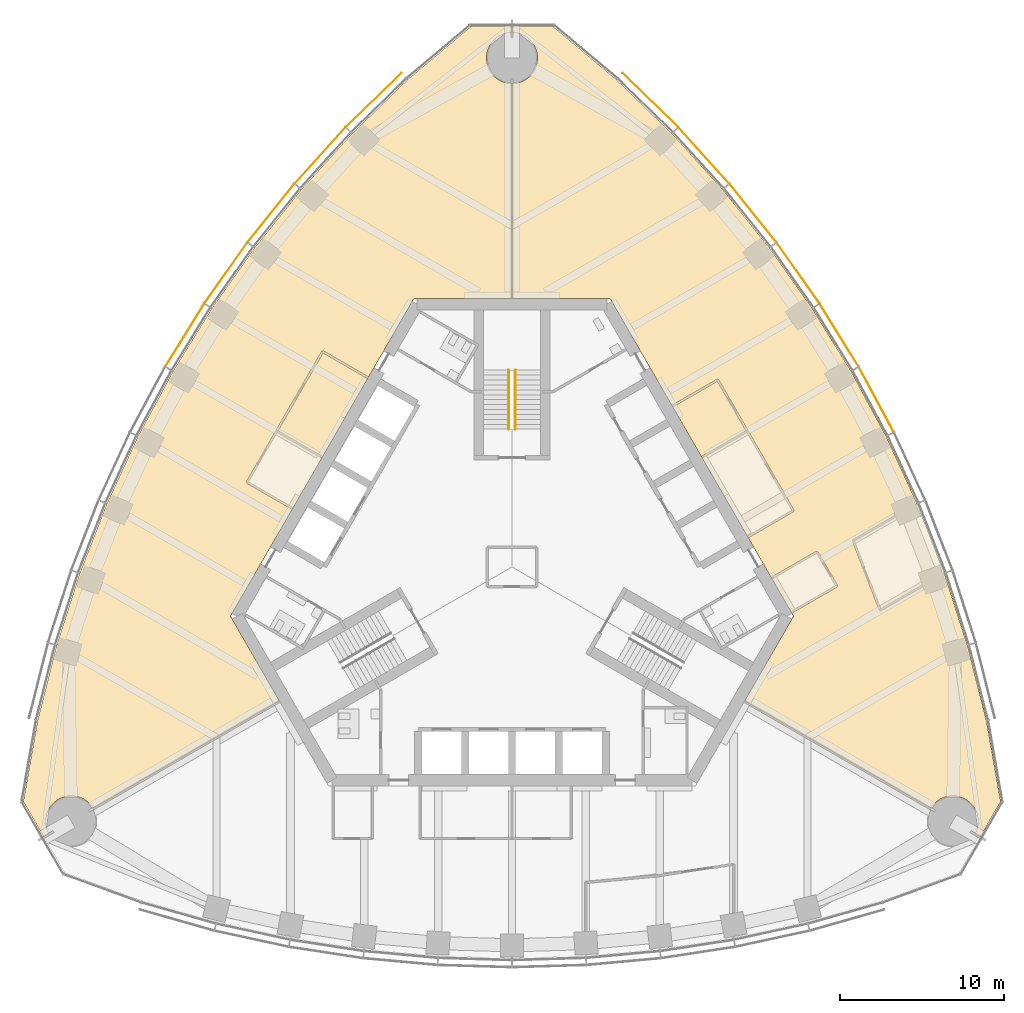
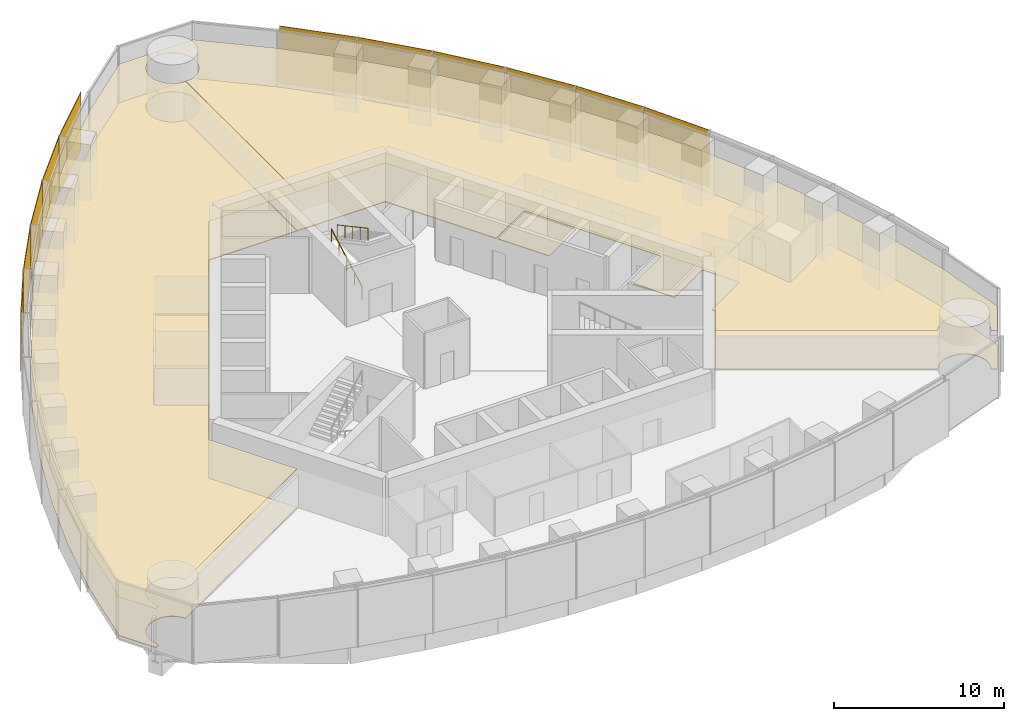
# One storey, part 12 of 14: 11 shading devices, 6 coverings, 2 railings.
"""IFC4 building model written with IfcOpenShell, lengths in metres."""

from ifc_helpers import new_model, si_unit, direction, frame, origin, origin_2d, place, context, subcontext, project, spatial, polyline, rectangle, circle, outline, extrude, material, layer, layer_set, type_object, element, save


model = new_model("IFC4")

# Units and contexts
model_context = context("Model", 3, precision=1e-05, world=origin(), true_north=direction((0.0, 1.0)))
body_context = subcontext(model_context, "Body", "Model", "MODEL_VIEW")
ifc_project = project(units=[si_unit("LENGTHUNIT", "METRE"), si_unit("AREAUNIT", "SQUARE_METRE"), si_unit("VOLUMEUNIT", "CUBIC_METRE"), si_unit("PLANEANGLEUNIT", "RADIAN"), si_unit("MASSUNIT", "GRAM", prefix="KILO")], contexts=[model_context])

# Site, building, storey
site_placement = place(None, origin())
site = spatial("IfcSite", under=ifc_project, at=site_placement, CompositionType="ELEMENT")
building_placement = place(site_placement, origin())
building = spatial("IfcBuilding", under=site, at=building_placement, Name="Trefoil Bronze Tower", CompositionType="ELEMENT")
storey_placement = place(building_placement, frame((0.0, 0.0, 280.5)))
storey = spatial("IfcBuildingStorey", under=building, at=storey_placement, Name="L64", CompositionType="ELEMENT", Elevation=280.5)

# Shading devices
ifc_material_1 = material(Name="Perforated bronze sheet", Category="bronze")
ifc_layer_1 = layer(ifc_material_1, 0.0400390625)
ifc_layer_set_1 = layer_set([ifc_layer_1], Name="Bronze solar screen panel")
shading_device_type = type_object("IfcShadingDeviceType", Name="Bronze solar screen panel", PredefinedType="SHUTTER", material=ifc_layer_set_1)
for number, where, z_axis, x_axis, name in (
    (1, (22.19775390625, 10.198974609375, 0.050048828125), (0.0, 0.0, 1.0), (-0.473562437085, 0.880760250115, 0.0), "Solar screen CW-A L64 F2 bay 5"),
    (2, (19.931396484375, 14.124267578125, 0.050048828125), (0.0, 0.0, 1.0), (-0.525979532701, 0.850497225851, 0.0), "Solar screen CW-A L64 F2 bay 6"),
):
    element("IfcShadingDevice", number, at=place(storey_placement, frame(where, z_axis=z_axis, x_axis=x_axis)), inside=storey, type_object=shading_device_type, Name=name, PredefinedType="SHUTTER", context=body_context, shape_type="SweptSolid", body=[
        extrude(rectangle(XDim=4.47216796875, YDim=0.0400390625, at=origin_2d()), origin(), (0.0, 0.0, 1.0), 4.10009765625),
    ])
shading_device_1_placement = place(storey_placement, frame((17.4267578125, 17.912109375, 0.050048828125), z_axis=(0.0, 0.0, 1.0), x_axis=(-0.576560967783, 0.817054129437, 0.0)))
element("IfcShadingDevice", 3, at=shading_device_1_placement, inside=storey, type_object=shading_device_type, Name="Solar screen CW-A L64 F2 bay 7", PredefinedType="SHUTTER", context=body_context, shape_type="SweptSolid", body=[
    extrude(rectangle(XDim=4.48876953125, YDim=0.0400390625, at=origin_2d()), origin(), (0.0, 0.0, 1.0), 4.10009765625),
])
shading_device_2_placement = place(storey_placement, frame((14.680908203125, 21.560791015625, 0.050048828125), z_axis=(0.0, 0.0, 1.0), x_axis=(-0.625286758829, 0.780395072533, 0.0)))
element("IfcShadingDevice", 4, at=shading_device_2_placement, inside=storey, type_object=shading_device_type, Name="Solar screen CW-A L64 F2 bay 8", PredefinedType="SHUTTER", context=body_context, shape_type="SweptSolid", body=[
    extrude(rectangle(XDim=4.5224609375, YDim=0.0400390625, at=origin_2d()), origin(), (0.0, 0.0, 1.0), 4.10009765625),
])
shading_device_3_placement = place(storey_placement, frame((11.688720703125, 25.067138671875, 0.050048828125), z_axis=(0.0, 0.0, 1.0), x_axis=(-0.672115274615, 0.74044652584, 0.0)))
element("IfcShadingDevice", 5, at=shading_device_3_placement, inside=storey, type_object=shading_device_type, Name="Solar screen CW-A L64 F2 bay 9", PredefinedType="SHUTTER", context=body_context, shape_type="SweptSolid", body=[
    extrude(rectangle(XDim=4.574462890625, YDim=0.0400390625, at=origin_2d()), origin(), (0.0, 0.0, 1.0), 4.10009765625),
])
for number, where, z_axis, x_axis, name in (
    (6, (8.42236328125, 28.443359375, 0.050048828125), (0.0, 0.0, 1.0), (-0.71721818561, 0.696848673839, 0.0), "Solar screen CW-A L64 F2 bay 10"),
    (7, (-8.42236328125, 28.443359375, 0.050048828125), (0.0, 0.0, 1.0), (-0.71721818561, -0.696848673839, 0.0), "Solar screen CW-A L64 F3 bay 1"),
):
    element("IfcShadingDevice", number, at=place(storey_placement, frame(where, z_axis=z_axis, x_axis=x_axis)), inside=storey, type_object=shading_device_type, Name=name, PredefinedType="SHUTTER", context=body_context, shape_type="SweptSolid", body=[
        extrude(rectangle(XDim=4.697509765625, YDim=0.0400390625, at=origin_2d()), origin(), (0.0, 0.0, 1.0), 4.10009765625),
    ])
shading_device_4_placement = place(storey_placement, frame((-11.688720703125, 25.067138671875, 0.050048828125), z_axis=(0.0, 0.0, 1.0), x_axis=(-0.672115274615, -0.74044652584, 0.0)))
element("IfcShadingDevice", 8, at=shading_device_4_placement, inside=storey, type_object=shading_device_type, Name="Solar screen CW-A L64 F3 bay 2", PredefinedType="SHUTTER", context=body_context, shape_type="SweptSolid", body=[
    extrude(rectangle(XDim=4.574462890625, YDim=0.0400390625, at=origin_2d()), origin(), (0.0, 0.0, 1.0), 4.10009765625),
])
shading_device_5_placement = place(storey_placement, frame((-14.680908203125, 21.560791015625, 0.050048828125), z_axis=(0.0, 0.0, 1.0), x_axis=(-0.625286758829, -0.780395072533, 0.0)))
element("IfcShadingDevice", 9, at=shading_device_5_placement, inside=storey, type_object=shading_device_type, Name="Solar screen CW-A L64 F3 bay 3", PredefinedType="SHUTTER", context=body_context, shape_type="SweptSolid", body=[
    extrude(rectangle(XDim=4.5224609375, YDim=0.0400390625, at=origin_2d()), origin(), (0.0, 0.0, 1.0), 4.10009765625),
])
shading_device_6_placement = place(storey_placement, frame((-17.4267578125, 17.912109375, 0.050048828125), z_axis=(0.0, 0.0, 1.0), x_axis=(-0.576560967783, -0.817054129437, 0.0)))
element("IfcShadingDevice", 10, at=shading_device_6_placement, inside=storey, type_object=shading_device_type, Name="Solar screen CW-A L64 F3 bay 4", PredefinedType="SHUTTER", context=body_context, shape_type="SweptSolid", body=[
    extrude(rectangle(XDim=4.48876953125, YDim=0.0400390625, at=origin_2d()), origin(), (0.0, 0.0, 1.0), 4.10009765625),
])
shading_device_7_placement = place(storey_placement, frame((-19.931396484375, 14.124267578125, 0.050048828125), z_axis=(0.0, 0.0, 1.0), x_axis=(-0.525979532701, -0.850497225851, 0.0)))
element("IfcShadingDevice", 11, at=shading_device_7_placement, inside=storey, type_object=shading_device_type, Name="Solar screen CW-A L64 F3 bay 5", PredefinedType="SHUTTER", context=body_context, shape_type="SweptSolid", body=[
    extrude(rectangle(XDim=4.47216796875, YDim=0.0400390625, at=origin_2d()), origin(), (0.0, 0.0, 1.0), 4.10009765625),
])

# Railings
ifc_material_2 = material(Name="Steel handrail", Category="steel")
railing_type = type_object("IfcRailingType", Name="Handrail 900", PredefinedType="HANDRAIL", material=ifc_material_2)
railing_1_placement = place(storey_placement, frame((-0.199951171875, 8.389892578125, 0.16162109375)))
element("IfcRailing", 12, at=railing_1_placement, inside=storey, type_object=railing_type, Name="Handrail ST2 flight 1 L64", PredefinedType="HANDRAIL", context=body_context, shape_type="SweptSolid", body=[
    extrude(circle(Radius=0.02392578125, at=origin_2d()), frame((0.0, 0.0, 0.8759765625), z_axis=(0.0, 0.880474934443, 0.474092701714), x_axis=(-1.0, 0.0, 0.0)), (0.0, 0.0, 1.0), 4.0888671875),
    extrude(circle(Radius=0.02099609375, at=origin_2d()), origin(), (0.0, 0.0, 1.0), 0.851806640625),
    extrude(circle(Radius=0.02099609375, at=origin_2d()), frame((0.0, 0.89990234375, 0.484619140625)), (0.0, 0.0, 1.0), 0.851806640625),
    extrude(circle(Radius=0.02099609375, at=origin_2d()), frame((0.0, 1.800048828125, 0.96923828125)), (0.0, 0.0, 1.0), 0.851806640625),
    extrude(circle(Radius=0.02099609375, at=origin_2d()), frame((0.0, 2.7001953125, 1.453857421875)), (0.0, 0.0, 1.0), 0.851806640625),
    extrude(circle(Radius=0.02099609375, at=origin_2d()), frame((0.0, 3.60009765625, 1.9384765625)), (0.0, 0.0, 1.0), 0.851806640625),
])
railing_2_placement = place(storey_placement, frame((0.199951171875, 11.989990234375, 2.261474609375)))
element("IfcRailing", 13, at=railing_2_placement, inside=storey, type_object=railing_type, Name="Handrail ST2 flight 2 L64", PredefinedType="HANDRAIL", context=body_context, shape_type="SweptSolid", body=[
    extrude(circle(Radius=0.02392578125, at=origin_2d()), frame((0.0, 0.0, 0.8759765625), z_axis=(0.0, -0.880474934443, 0.474092701714), x_axis=(1.0, 0.0, 0.0)), (0.0, 0.0, 1.0), 4.0888671875),
    extrude(circle(Radius=0.02099609375, at=origin_2d()), origin(), (0.0, 0.0, 1.0), 0.851806640625),
    extrude(circle(Radius=0.02099609375, at=origin_2d()), frame((0.0, -0.89990234375, 0.484619140625)), (0.0, 0.0, 1.0), 0.851806640625),
    extrude(circle(Radius=0.02099609375, at=origin_2d()), frame((0.0, -1.800048828125, 0.96923828125)), (0.0, 0.0, 1.0), 0.851806640625),
    extrude(circle(Radius=0.02099609375, at=origin_2d()), frame((0.0, -2.7001953125, 1.453857421875)), (0.0, 0.0, 1.0), 0.851806640625),
    extrude(circle(Radius=0.02099609375, at=origin_2d()), frame((0.0, -3.60009765625, 1.9384765625)), (0.0, 0.0, 1.0), 0.851806640625),
])

# Coverings
ifc_material_3 = material(Name="Acoustic ceiling panels", Category="mineral fibre")
ifc_layer_2 = layer(ifc_material_3, 0.02001953125)
ifc_layer_set_2 = layer_set([ifc_layer_2], Name="Office ceiling 20")
covering_type_1 = type_object("IfcCoveringType", Name="Office ceiling 20", PredefinedType="CEILING", material=ifc_layer_set_2)
covering_1_placement = place(storey_placement, frame((0.0, 0.0, 2.89990234375)))
element("IfcCovering", 14, at=covering_1_placement, inside=storey, type_object=covering_type_1, Name="Ceiling L64 Open-plan office F2", PredefinedType="CEILING", context=body_context, shape_type="SweptSolid", body=[
    extrude(outline(polyline([(9.741455078125, 26.408935546875), (12.836181640625, 22.99951171875), (15.682861328125, 19.44677734375), (18.2880859375, 15.7548828125), (20.656005859375, 11.92578125), (22.7880859375, 7.960693359375), (24.682861328125, 3.8583984375), (26.336181640625, -0.38330078125), (27.741455078125, -4.76806640625), (28.899169921875, -9.3515625), (29.770263671875, -14.291748046875), (28.522216796875, -16.453125), (28.19482421875, -16.26416015625), (28.2138671875, -16.230712890625), (28.248046875, -16.16259765625), (28.27880859375, -16.09326171875), (28.30615234375, -16.022216796875), (28.330078125, -15.949951171875), (28.350341796875, -15.876708984375), (28.366943359375, -15.802490234375), (28.3798828125, -15.727294921875), (28.389404296875, -15.65185546875), (28.39501953125, -15.576171875), (28.396728515625, -15.5), (28.39501953125, -15.423828125), (28.389404296875, -15.34814453125), (28.3798828125, -15.272705078125), (28.366943359375, -15.197509765625), (28.350341796875, -15.123291015625), (28.330078125, -15.050048828125), (28.30615234375, -14.977783203125), (28.27880859375, -14.90673828125), (28.248046875, -14.83740234375), (28.2138671875, -14.769287109375), (28.17626953125, -14.703125), (28.135498046875, -14.638916015625), (28.091796875, -14.57666015625), (28.044921875, -14.5166015625), (27.995361328125, -14.458984375), (27.94287109375, -14.404052734375), (27.8876953125, -14.3515625), (27.830078125, -14.3017578125), (27.77001953125, -14.2548828125), (27.7080078125, -14.211181640625), (27.6435546875, -14.17041015625), (27.577392578125, -14.133056640625), (27.509521484375, -14.098876953125), (27.43994140625, -14.068115234375), (27.368896484375, -14.04052734375), (27.296630859375, -14.0166015625), (27.223388671875, -13.99658203125), (27.149169921875, -13.979736328125), (27.07421875, -13.966796875), (26.998779296875, -13.95751953125), (26.9228515625, -13.951904296875), (26.8466796875, -13.949951171875), (26.770751953125, -13.951904296875), (26.69482421875, -13.95751953125), (26.619384765625, -13.966796875), (26.54443359375, -13.979736328125), (26.47021484375, -13.99658203125), (26.396728515625, -14.0166015625), (26.32470703125, -14.04052734375), (26.253662109375, -14.068115234375), (26.18408203125, -14.098876953125), (26.1162109375, -14.133056640625), (26.0498046875, -14.17041015625), (25.985595703125, -14.211181640625), (25.923583984375, -14.2548828125), (25.863525390625, -14.3017578125), (25.805908203125, -14.3515625), (25.750732421875, -14.404052734375), (25.6982421875, -14.458984375), (25.648681640625, -14.5166015625), (25.601806640625, -14.57666015625), (25.55810546875, -14.638916015625), (25.51025390625, -14.715576171875), (14.16259765625, -8.169677734375), (17.147216796875, -3.0), (5.9755859375, 16.35009765625), (0.006103515625, 16.35009765625), (0.010986328125, 29.4501953125), (0.076171875, 29.451904296875), (0.15185546875, 29.45751953125), (0.227294921875, 29.466796875), (0.302490234375, 29.479736328125), (0.376708984375, 29.49658203125), (0.449951171875, 29.5166015625), (0.522216796875, 29.54052734375), (0.59326171875, 29.568115234375), (0.66259765625, 29.598876953125), (0.730712890625, 29.633056640625), (0.796875, 29.67041015625), (0.861083984375, 29.711181640625), (0.92333984375, 29.7548828125), (0.9833984375, 29.8017578125), (1.041015625, 29.8515625), (1.095947265625, 29.904052734375), (1.1484375, 29.958984375), (1.1982421875, 30.0166015625), (1.2451171875, 30.07666015625), (1.288818359375, 30.138916015625), (1.32958984375, 30.203125), (1.366943359375, 30.269287109375), (1.401123046875, 30.33740234375), (1.431884765625, 30.40673828125), (1.45947265625, 30.477783203125), (1.4833984375, 30.550048828125), (1.50341796875, 30.623291015625), (1.520263671875, 30.697509765625), (1.533203125, 30.772705078125), (1.54248046875, 30.84814453125), (1.548095703125, 30.923828125), (1.550048828125, 31.0), (1.548095703125, 31.076171875), (1.54248046875, 31.15185546875), (1.533203125, 31.227294921875), (1.520263671875, 31.302490234375), (1.50341796875, 31.376708984375), (1.4833984375, 31.449951171875), (1.45947265625, 31.522216796875), (1.431884765625, 31.59326171875), (1.401123046875, 31.66259765625), (1.366943359375, 31.730712890625), (1.32958984375, 31.796875), (1.288818359375, 31.861083984375), (1.2451171875, 31.92333984375), (1.1982421875, 31.9833984375), (1.1484375, 32.041015625), (1.095947265625, 32.095947265625), (1.041015625, 32.1484375), (0.9833984375, 32.1982421875), (0.92333984375, 32.2451171875), (0.861083984375, 32.288818359375), (0.796875, 32.32958984375), (0.730712890625, 32.366943359375), (0.66259765625, 32.401123046875), (0.59326171875, 32.431884765625), (0.522216796875, 32.45947265625), (0.449951171875, 32.4833984375), (0.376708984375, 32.50341796875), (0.302490234375, 32.520263671875), (0.227294921875, 32.533203125), (0.15185546875, 32.54248046875), (0.076171875, 32.548095703125), (0.01220703125, 32.5498046875), (0.01220703125, 32.927490234375), (2.508056640625, 32.927490234375), (6.350830078125, 29.703125), (9.741455078125, 26.408935546875)])), origin(), (0.0, 0.0, 1.0), 0.02001953125),
])
covering_2_placement = place(storey_placement, frame((0.0, 0.0, 2.89990234375)))
element("IfcCovering", 15, at=covering_2_placement, inside=storey, type_object=covering_type_1, Name="Ceiling L64 Open-plan office F3", PredefinedType="CEILING", context=body_context, shape_type="SweptSolid", body=[
    extrude(outline(polyline([(-27.741455078125, -4.76806640625), (-26.336181640625, -0.38330078125), (-24.682861328125, 3.8583984375), (-22.7880859375, 7.960693359375), (-20.656005859375, 11.92578125), (-18.2880859375, 15.7548828125), (-15.682861328125, 19.44677734375), (-12.836181640625, 22.99951171875), (-9.741455078125, 26.408935546875), (-6.350830078125, 29.703125), (-2.508056640625, 32.927490234375), (-0.01220703125, 32.927490234375), (-0.01220703125, 32.5498046875), (-0.076171875, 32.548095703125), (-0.15185546875, 32.54248046875), (-0.227294921875, 32.533203125), (-0.302490234375, 32.520263671875), (-0.376708984375, 32.50341796875), (-0.449951171875, 32.4833984375), (-0.522216796875, 32.45947265625), (-0.59326171875, 32.431884765625), (-0.66259765625, 32.401123046875), (-0.730712890625, 32.366943359375), (-0.796875, 32.32958984375), (-0.861083984375, 32.288818359375), (-0.92333984375, 32.2451171875), (-0.9833984375, 32.1982421875), (-1.041015625, 32.1484375), (-1.095947265625, 32.095947265625), (-1.1484375, 32.041015625), (-1.1982421875, 31.9833984375), (-1.2451171875, 31.92333984375), (-1.288818359375, 31.861083984375), (-1.32958984375, 31.796875), (-1.366943359375, 31.730712890625), (-1.401123046875, 31.66259765625), (-1.431884765625, 31.59326171875), (-1.45947265625, 31.522216796875), (-1.4833984375, 31.449951171875), (-1.50341796875, 31.376708984375), (-1.520263671875, 31.302490234375), (-1.533203125, 31.227294921875), (-1.54248046875, 31.15185546875), (-1.548095703125, 31.076171875), (-1.550048828125, 31.0), (-1.548095703125, 30.923828125), (-1.54248046875, 30.84814453125), (-1.533203125, 30.772705078125), (-1.520263671875, 30.697509765625), (-1.50341796875, 30.623291015625), (-1.4833984375, 30.550048828125), (-1.45947265625, 30.477783203125), (-1.431884765625, 30.40673828125), (-1.401123046875, 30.33740234375), (-1.366943359375, 30.269287109375), (-1.32958984375, 30.203125), (-1.288818359375, 30.138916015625), (-1.2451171875, 30.07666015625), (-1.1982421875, 30.0166015625), (-1.1484375, 29.958984375), (-1.095947265625, 29.904052734375), (-1.041015625, 29.8515625), (-0.9833984375, 29.8017578125), (-0.92333984375, 29.7548828125), (-0.861083984375, 29.711181640625), (-0.796875, 29.67041015625), (-0.730712890625, 29.633056640625), (-0.66259765625, 29.598876953125), (-0.59326171875, 29.568115234375), (-0.522216796875, 29.54052734375), (-0.449951171875, 29.5166015625), (-0.376708984375, 29.49658203125), (-0.302490234375, 29.479736328125), (-0.227294921875, 29.466796875), (-0.15185546875, 29.45751953125), (-0.076171875, 29.451904296875), (-0.010986328125, 29.4501953125), (-0.006103515625, 16.35009765625), (-5.9755859375, 16.35009765625), (-17.147216796875, -3.0), (-14.16259765625, -8.169677734375), (-25.51025390625, -14.715576171875), (-25.55810546875, -14.638916015625), (-25.601806640625, -14.57666015625), (-25.648681640625, -14.5166015625), (-25.6982421875, -14.458984375), (-25.750732421875, -14.404052734375), (-25.805908203125, -14.3515625), (-25.863525390625, -14.3017578125), (-25.923583984375, -14.2548828125), (-25.985595703125, -14.211181640625), (-26.0498046875, -14.17041015625), (-26.1162109375, -14.133056640625), (-26.18408203125, -14.098876953125), (-26.253662109375, -14.068115234375), (-26.32470703125, -14.04052734375), (-26.396728515625, -14.0166015625), (-26.47021484375, -13.99658203125), (-26.54443359375, -13.979736328125), (-26.619384765625, -13.966796875), (-26.69482421875, -13.95751953125), (-26.770751953125, -13.951904296875), (-26.8466796875, -13.949951171875), (-26.9228515625, -13.951904296875), (-26.998779296875, -13.95751953125), (-27.07421875, -13.966796875), (-27.149169921875, -13.979736328125), (-27.223388671875, -13.99658203125), (-27.296630859375, -14.0166015625), (-27.368896484375, -14.04052734375), (-27.43994140625, -14.068115234375), (-27.509521484375, -14.098876953125), (-27.577392578125, -14.133056640625), (-27.6435546875, -14.17041015625), (-27.7080078125, -14.211181640625), (-27.77001953125, -14.2548828125), (-27.830078125, -14.3017578125), (-27.8876953125, -14.3515625), (-27.94287109375, -14.404052734375), (-27.995361328125, -14.458984375), (-28.044921875, -14.5166015625), (-28.091796875, -14.57666015625), (-28.135498046875, -14.638916015625), (-28.17626953125, -14.703125), (-28.2138671875, -14.769287109375), (-28.248046875, -14.83740234375), (-28.27880859375, -14.90673828125), (-28.30615234375, -14.977783203125), (-28.330078125, -15.050048828125), (-28.350341796875, -15.123291015625), (-28.366943359375, -15.197509765625), (-28.3798828125, -15.272705078125), (-28.389404296875, -15.34814453125), (-28.39501953125, -15.423828125), (-28.396728515625, -15.5), (-28.39501953125, -15.576171875), (-28.389404296875, -15.65185546875), (-28.3798828125, -15.727294921875), (-28.366943359375, -15.802490234375), (-28.350341796875, -15.876708984375), (-28.330078125, -15.949951171875), (-28.30615234375, -16.022216796875), (-28.27880859375, -16.09326171875), (-28.248046875, -16.16259765625), (-28.2138671875, -16.230712890625), (-28.19482421875, -16.26416015625), (-28.522216796875, -16.453125), (-29.770263671875, -14.291748046875), (-28.899169921875, -9.3515625), (-27.741455078125, -4.76806640625)])), origin(), (0.0, 0.0, 1.0), 0.02001953125),
])
ifc_material_4 = material(Name="Raised access floor panels", Category="steel")
ifc_layer_3 = layer(ifc_material_4, 0.050048828125)
ifc_layer_set_3 = layer_set([ifc_layer_3], Name="Raised access floor 150")
covering_type_2 = type_object("IfcCoveringType", Name="Raised access floor 150", PredefinedType="FLOORING", material=ifc_layer_set_3)
covering_3_placement = place(storey_placement, frame((0.0, 0.0, 0.10009765625)))
element("IfcCovering", 16, at=covering_3_placement, inside=storey, type_object=covering_type_2, Name="Raised floor L64 Meeting room F2", PredefinedType="FLOORING", context=body_context, shape_type="SweptSolid", body=[
    extrude(outline(polyline([(9.79150390625, 9.74072265625), (12.5107421875, 11.310791015625), (14.250732421875, 8.297119140625), (11.531494140625, 6.72705078125), (9.79150390625, 9.74072265625)])), origin(), (0.0, 0.0, 1.0), 0.0498046875),
])
covering_4_placement = place(storey_placement, frame((0.0, 0.0, 0.10009765625)))
element("IfcCovering", 17, at=covering_4_placement, inside=storey, type_object=covering_type_2, Name="Raised floor L64 Open-plan office F2", PredefinedType="FLOORING", context=body_context, shape_type="SweptSolid", body=[
    extrude(outline(polyline([(22.7880859375, 7.960693359375), (24.682861328125, 3.8583984375), (23.347900390625, 3.087646484375), (23.318115234375, 3.1396484375), (20.755615234375, 1.660400390625), (20.78564453125, 1.6083984375), (20.729736328125, 1.58642578125), (22.38330078125, -2.655029296875), (22.439208984375, -2.63330078125), (22.468994140625, -2.685302734375), (25.01904296875, -1.212890625), (24.989013671875, -1.1611328125), (26.336181640625, -0.38330078125), (27.741455078125, -4.76806640625), (28.899169921875, -9.3515625), (29.770263671875, -14.291748046875), (28.522216796875, -16.453125), (28.19482421875, -16.26416015625), (28.2138671875, -16.230712890625), (28.248046875, -16.16259765625), (28.27880859375, -16.09326171875), (28.30615234375, -16.022216796875), (28.330078125, -15.949951171875), (28.350341796875, -15.876708984375), (28.366943359375, -15.802490234375), (28.3798828125, -15.727294921875), (28.389404296875, -15.65185546875), (28.39501953125, -15.576171875), (28.396728515625, -15.5), (28.39501953125, -15.423828125), (28.389404296875, -15.34814453125), (28.3798828125, -15.272705078125), (28.366943359375, -15.197509765625), (28.350341796875, -15.123291015625), (28.330078125, -15.050048828125), (28.30615234375, -14.977783203125), (28.27880859375, -14.90673828125), (28.248046875, -14.83740234375), (28.2138671875, -14.769287109375), (28.17626953125, -14.703125), (28.135498046875, -14.638916015625), (28.091796875, -14.57666015625), (28.044921875, -14.5166015625), (27.995361328125, -14.458984375), (27.94287109375, -14.404052734375), (27.8876953125, -14.3515625), (27.830078125, -14.3017578125), (27.77001953125, -14.2548828125), (27.7080078125, -14.211181640625), (27.6435546875, -14.17041015625), (27.577392578125, -14.133056640625), (27.509521484375, -14.098876953125), (27.43994140625, -14.068115234375), (27.368896484375, -14.04052734375), (27.296630859375, -14.0166015625), (27.223388671875, -13.99658203125), (27.149169921875, -13.979736328125), (27.07421875, -13.966796875), (26.998779296875, -13.95751953125), (26.9228515625, -13.951904296875), (26.8466796875, -13.949951171875), (26.770751953125, -13.951904296875), (26.69482421875, -13.95751953125), (26.619384765625, -13.966796875), (26.54443359375, -13.979736328125), (26.47021484375, -13.99658203125), (26.396728515625, -14.0166015625), (26.32470703125, -14.04052734375), (26.253662109375, -14.068115234375), (26.18408203125, -14.098876953125), (26.1162109375, -14.133056640625), (26.0498046875, -14.17041015625), (25.985595703125, -14.211181640625), (25.923583984375, -14.2548828125), (25.863525390625, -14.3017578125), (25.805908203125, -14.3515625), (25.750732421875, -14.404052734375), (25.6982421875, -14.458984375), (25.648681640625, -14.5166015625), (25.601806640625, -14.57666015625), (25.55810546875, -14.638916015625), (25.51025390625, -14.715576171875), (14.16259765625, -8.169677734375), (17.147216796875, -3.0), (17.04150390625, -2.816650390625), (19.812744140625, -1.216552734375), (19.78271484375, -1.164794921875), (19.834716796875, -1.134765625), (18.634765625, 0.94384765625), (18.582763671875, 0.913818359375), (18.552734375, 0.9658203125), (15.781494140625, -0.63427734375), (14.391357421875, 1.773193359375), (17.16259765625, 3.373291015625), (17.1328125, 3.42529296875), (17.184814453125, 3.455322265625), (12.584716796875, 11.422607421875), (12.53271484375, 11.392578125), (12.502685546875, 11.444580078125), (9.7314453125, 9.8447265625), (5.9755859375, 16.35009765625), (0.006103515625, 16.35009765625), (0.010986328125, 29.4501953125), (0.076171875, 29.451904296875), (0.15185546875, 29.45751953125), (0.227294921875, 29.466796875), (0.302490234375, 29.479736328125), (0.376708984375, 29.49658203125), (0.449951171875, 29.5166015625), (0.522216796875, 29.54052734375), (0.59326171875, 29.568115234375), (0.66259765625, 29.598876953125), (0.730712890625, 29.633056640625), (0.796875, 29.67041015625), (0.861083984375, 29.711181640625), (0.92333984375, 29.7548828125), (0.9833984375, 29.8017578125), (1.041015625, 29.8515625), (1.095947265625, 29.904052734375), (1.1484375, 29.958984375), (1.1982421875, 30.0166015625), (1.2451171875, 30.07666015625), (1.288818359375, 30.138916015625), (1.32958984375, 30.203125), (1.366943359375, 30.269287109375), (1.401123046875, 30.33740234375), (1.431884765625, 30.40673828125), (1.45947265625, 30.477783203125), (1.4833984375, 30.550048828125), (1.50341796875, 30.623291015625), (1.520263671875, 30.697509765625), (1.533203125, 30.772705078125), (1.54248046875, 30.84814453125), (1.548095703125, 30.923828125), (1.550048828125, 31.0), (1.548095703125, 31.076171875), (1.54248046875, 31.15185546875), (1.533203125, 31.227294921875), (1.520263671875, 31.302490234375), (1.50341796875, 31.376708984375), (1.4833984375, 31.449951171875), (1.45947265625, 31.522216796875), (1.431884765625, 31.59326171875), (1.401123046875, 31.66259765625), (1.366943359375, 31.730712890625), (1.32958984375, 31.796875), (1.288818359375, 31.861083984375), (1.2451171875, 31.92333984375), (1.1982421875, 31.9833984375), (1.1484375, 32.041015625), (1.095947265625, 32.095947265625), (1.041015625, 32.1484375), (0.9833984375, 32.1982421875), (0.92333984375, 32.2451171875), (0.861083984375, 32.288818359375), (0.796875, 32.32958984375), (0.730712890625, 32.366943359375), (0.66259765625, 32.401123046875), (0.59326171875, 32.431884765625), (0.522216796875, 32.45947265625), (0.449951171875, 32.4833984375), (0.376708984375, 32.50341796875), (0.302490234375, 32.520263671875), (0.227294921875, 32.533203125), (0.15185546875, 32.54248046875), (0.076171875, 32.548095703125), (0.01220703125, 32.5498046875), (0.01220703125, 32.927490234375), (2.508056640625, 32.927490234375), (6.350830078125, 29.703125), (9.741455078125, 26.408935546875), (12.836181640625, 22.99951171875), (15.682861328125, 19.44677734375), (18.2880859375, 15.7548828125), (20.656005859375, 11.92578125), (22.7880859375, 7.960693359375)])), origin(), (0.0, 0.0, 1.0), 0.0498046875),
])
covering_5_placement = place(storey_placement, frame((0.0, 0.0, 0.10009765625)))
element("IfcCovering", 18, at=covering_5_placement, inside=storey, type_object=covering_type_2, Name="Raised floor L64 Meeting room F3", PredefinedType="FLOORING", context=body_context, shape_type="SweptSolid", body=[
    extrude(outline(polyline([(-11.531494140625, 6.72705078125), (-14.250732421875, 8.297119140625), (-11.5107421875, 13.042724609375), (-8.79150390625, 11.472900390625), (-11.531494140625, 6.72705078125)])), origin(), (0.0, 0.0, 1.0), 0.0498046875),
])
covering_6_placement = place(storey_placement, frame((0.0, 0.0, 0.10009765625)))
element("IfcCovering", 19, at=covering_6_placement, inside=storey, type_object=covering_type_2, Name="Raised floor L64 Open-plan office F3", PredefinedType="FLOORING", context=body_context, shape_type="SweptSolid", body=[
    extrude(outline(polyline([(-5.9755859375, 16.35009765625), (-8.7314453125, 11.57666015625), (-11.502685546875, 13.1767578125), (-11.53271484375, 13.124755859375), (-11.584716796875, 13.15478515625), (-16.184814453125, 5.187255859375), (-16.1328125, 5.1572265625), (-16.16259765625, 5.105224609375), (-13.391357421875, 3.50537109375), (-17.147216796875, -3.0), (-14.16259765625, -8.169677734375), (-25.51025390625, -14.715576171875), (-25.55810546875, -14.638916015625), (-25.601806640625, -14.57666015625), (-25.648681640625, -14.5166015625), (-25.6982421875, -14.458984375), (-25.750732421875, -14.404052734375), (-25.805908203125, -14.3515625), (-25.863525390625, -14.3017578125), (-25.923583984375, -14.2548828125), (-25.985595703125, -14.211181640625), (-26.0498046875, -14.17041015625), (-26.1162109375, -14.133056640625), (-26.18408203125, -14.098876953125), (-26.253662109375, -14.068115234375), (-26.32470703125, -14.04052734375), (-26.396728515625, -14.0166015625), (-26.47021484375, -13.99658203125), (-26.54443359375, -13.979736328125), (-26.619384765625, -13.966796875), (-26.69482421875, -13.95751953125), (-26.770751953125, -13.951904296875), (-26.8466796875, -13.949951171875), (-26.9228515625, -13.951904296875), (-26.998779296875, -13.95751953125), (-27.07421875, -13.966796875), (-27.149169921875, -13.979736328125), (-27.223388671875, -13.99658203125), (-27.296630859375, -14.0166015625), (-27.368896484375, -14.04052734375), (-27.43994140625, -14.068115234375), (-27.509521484375, -14.098876953125), (-27.577392578125, -14.133056640625), (-27.6435546875, -14.17041015625), (-27.7080078125, -14.211181640625), (-27.77001953125, -14.2548828125), (-27.830078125, -14.3017578125), (-27.8876953125, -14.3515625), (-27.94287109375, -14.404052734375), (-27.995361328125, -14.458984375), (-28.044921875, -14.5166015625), (-28.091796875, -14.57666015625), (-28.135498046875, -14.638916015625), (-28.17626953125, -14.703125), (-28.2138671875, -14.769287109375), (-28.248046875, -14.83740234375), (-28.27880859375, -14.90673828125), (-28.30615234375, -14.977783203125), (-28.330078125, -15.050048828125), (-28.350341796875, -15.123291015625), (-28.366943359375, -15.197509765625), (-28.3798828125, -15.272705078125), (-28.389404296875, -15.34814453125), (-28.39501953125, -15.423828125), (-28.396728515625, -15.5), (-28.39501953125, -15.576171875), (-28.389404296875, -15.65185546875), (-28.3798828125, -15.727294921875), (-28.366943359375, -15.802490234375), (-28.350341796875, -15.876708984375), (-28.330078125, -15.949951171875), (-28.30615234375, -16.022216796875), (-28.27880859375, -16.09326171875), (-28.248046875, -16.16259765625), (-28.2138671875, -16.230712890625), (-28.19482421875, -16.26416015625), (-28.522216796875, -16.453125), (-29.770263671875, -14.291748046875), (-28.899169921875, -9.3515625), (-27.741455078125, -4.76806640625), (-26.336181640625, -0.38330078125), (-24.682861328125, 3.8583984375), (-22.7880859375, 7.960693359375), (-20.656005859375, 11.92578125), (-18.2880859375, 15.7548828125), (-15.682861328125, 19.44677734375), (-12.836181640625, 22.99951171875), (-9.741455078125, 26.408935546875), (-6.350830078125, 29.703125), (-2.508056640625, 32.927490234375), (-0.01220703125, 32.927490234375), (-0.01220703125, 32.5498046875), (-0.076171875, 32.548095703125), (-0.15185546875, 32.54248046875), (-0.227294921875, 32.533203125), (-0.302490234375, 32.520263671875), (-0.376708984375, 32.50341796875), (-0.449951171875, 32.4833984375), (-0.522216796875, 32.45947265625), (-0.59326171875, 32.431884765625), (-0.66259765625, 32.401123046875), (-0.730712890625, 32.366943359375), (-0.796875, 32.32958984375), (-0.861083984375, 32.288818359375), (-0.92333984375, 32.2451171875), (-0.9833984375, 32.1982421875), (-1.041015625, 32.1484375), (-1.095947265625, 32.095947265625), (-1.1484375, 32.041015625), (-1.1982421875, 31.9833984375), (-1.2451171875, 31.92333984375), (-1.288818359375, 31.861083984375), (-1.32958984375, 31.796875), (-1.366943359375, 31.730712890625), (-1.401123046875, 31.66259765625), (-1.431884765625, 31.59326171875), (-1.45947265625, 31.522216796875), (-1.4833984375, 31.449951171875), (-1.50341796875, 31.376708984375), (-1.520263671875, 31.302490234375), (-1.533203125, 31.227294921875), (-1.54248046875, 31.15185546875), (-1.548095703125, 31.076171875), (-1.550048828125, 31.0), (-1.548095703125, 30.923828125), (-1.54248046875, 30.84814453125), (-1.533203125, 30.772705078125), (-1.520263671875, 30.697509765625), (-1.50341796875, 30.623291015625), (-1.4833984375, 30.550048828125), (-1.45947265625, 30.477783203125), (-1.431884765625, 30.40673828125), (-1.401123046875, 30.33740234375), (-1.366943359375, 30.269287109375), (-1.32958984375, 30.203125), (-1.288818359375, 30.138916015625), (-1.2451171875, 30.07666015625), (-1.1982421875, 30.0166015625), (-1.1484375, 29.958984375), (-1.095947265625, 29.904052734375), (-1.041015625, 29.8515625), (-0.9833984375, 29.8017578125), (-0.92333984375, 29.7548828125), (-0.861083984375, 29.711181640625), (-0.796875, 29.67041015625), (-0.730712890625, 29.633056640625), (-0.66259765625, 29.598876953125), (-0.59326171875, 29.568115234375), (-0.522216796875, 29.54052734375), (-0.449951171875, 29.5166015625), (-0.376708984375, 29.49658203125), (-0.302490234375, 29.479736328125), (-0.227294921875, 29.466796875), (-0.15185546875, 29.45751953125), (-0.076171875, 29.451904296875), (-0.010986328125, 29.4501953125), (-0.006103515625, 16.35009765625), (-5.9755859375, 16.35009765625)])), origin(), (0.0, 0.0, 1.0), 0.0498046875),
])

save(model, "model.ifc")
